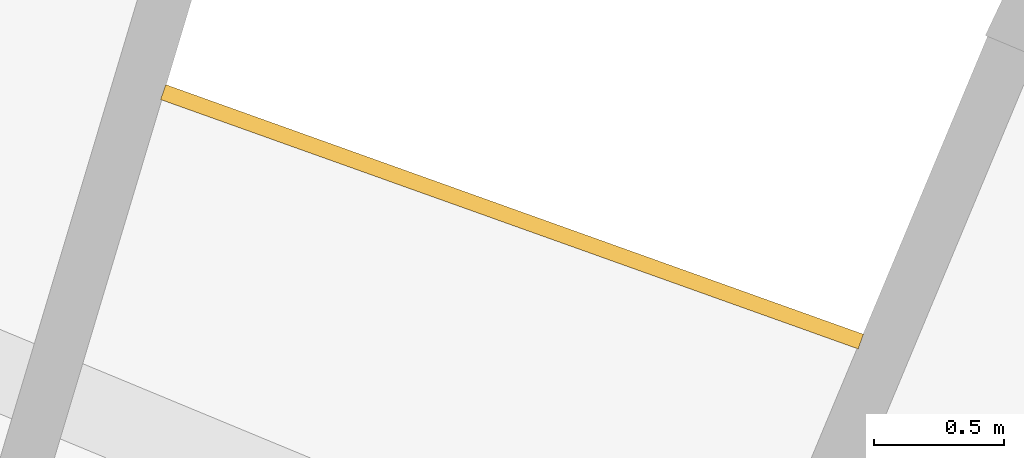
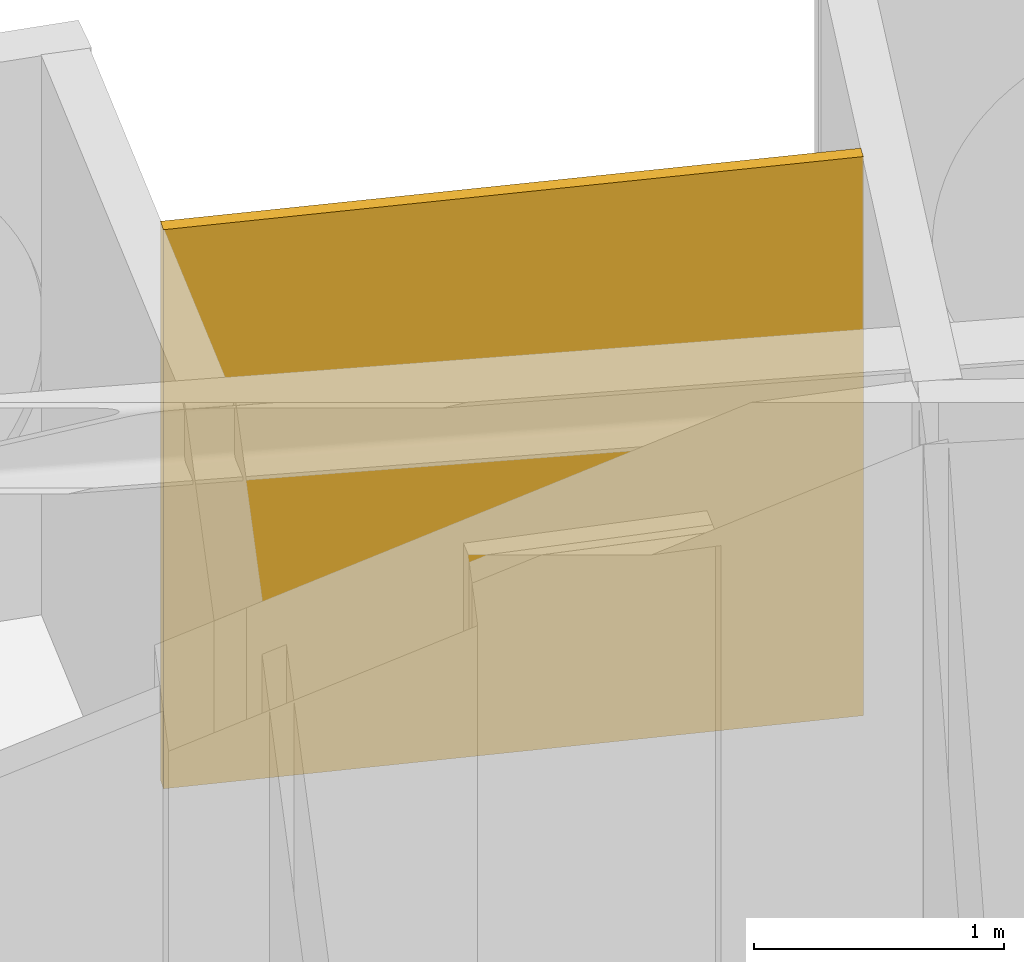
# One storey, part 29 of 29: 1 railing.
"""IFC4 building model written with IfcOpenShell, lengths in metres."""

from ifc_helpers import new_model, si_unit, direction, frame, origin, place, context, subcontext, project, spatial, polyline, outline, extrude, material, layer, layer_set, type_object, element, save


model = new_model("IFC4")

# Units and contexts
model_context = context("Model", 3, precision=1e-05, world=origin(), true_north=direction((0.0, 1.0)))
body_context = subcontext(model_context, "Body", "Model", "MODEL_VIEW")
ifc_project = project(units=[si_unit("LENGTHUNIT", "METRE"), si_unit("AREAUNIT", "SQUARE_METRE"), si_unit("VOLUMEUNIT", "CUBIC_METRE"), si_unit("PLANEANGLEUNIT", "RADIAN"), si_unit("MASSUNIT", "GRAM", prefix="KILO")], contexts=[model_context])

# Site, building, storey
site_placement = place(None, origin())
site = spatial("IfcSite", under=ifc_project, at=site_placement, CompositionType="ELEMENT")
building_placement = place(site_placement, origin())
building = spatial("IfcBuilding", under=site, at=building_placement, Name="Maasbend Ring Residences", CompositionType="ELEMENT")
storey_placement = place(building_placement, frame((0.0, 0.0, 190.199951171875)))
storey = spatial("IfcBuildingStorey", under=building, at=storey_placement, Name="L54", CompositionType="ELEMENT", Elevation=190.199951171875)

# Railing
ifc_material = material(Name="Pale anodised perforated aluminium", Category="aluminium")
ifc_layer = layer(ifc_material, 0.06005859375)
ifc_layer_set = layer_set([ifc_layer], Name="SCREEN-P")
railing_type = type_object("IfcRailingType", Name="SCREEN-P", PredefinedType="GUARDRAIL", material=ifc_layer_set)
railing_placement = place(storey_placement, frame((0.0, 0.0, -0.030029296875)))
element("IfcRailing", 1, at=railing_placement, inside=storey, type_object=railing_type, Name="Perforated screen guard 4", PredefinedType="GUARDRAIL", context=body_context, shape_type="SweptSolid", body=[
    extrude(outline(polyline([(11.097900390625, 26.79296875), (8.41796875, 27.7509765625), (8.43798828125, 27.80810546875), (11.117919921875, 26.84912109375), (11.097900390625, 26.79296875)])), origin(), (0.0, 0.0, 1.0), 2.72998046875),
])

save(model, "model.ifc")
